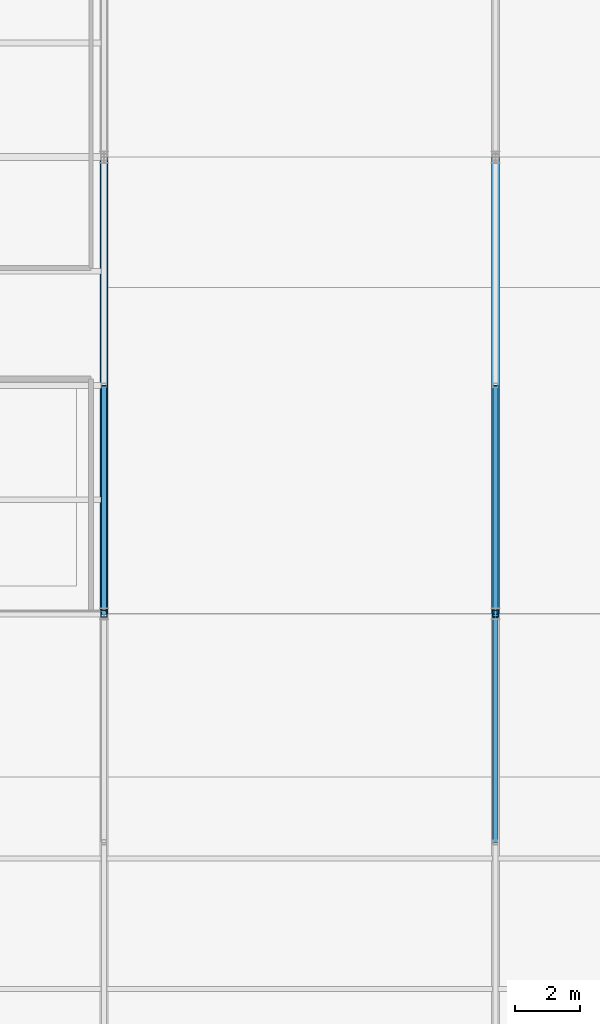
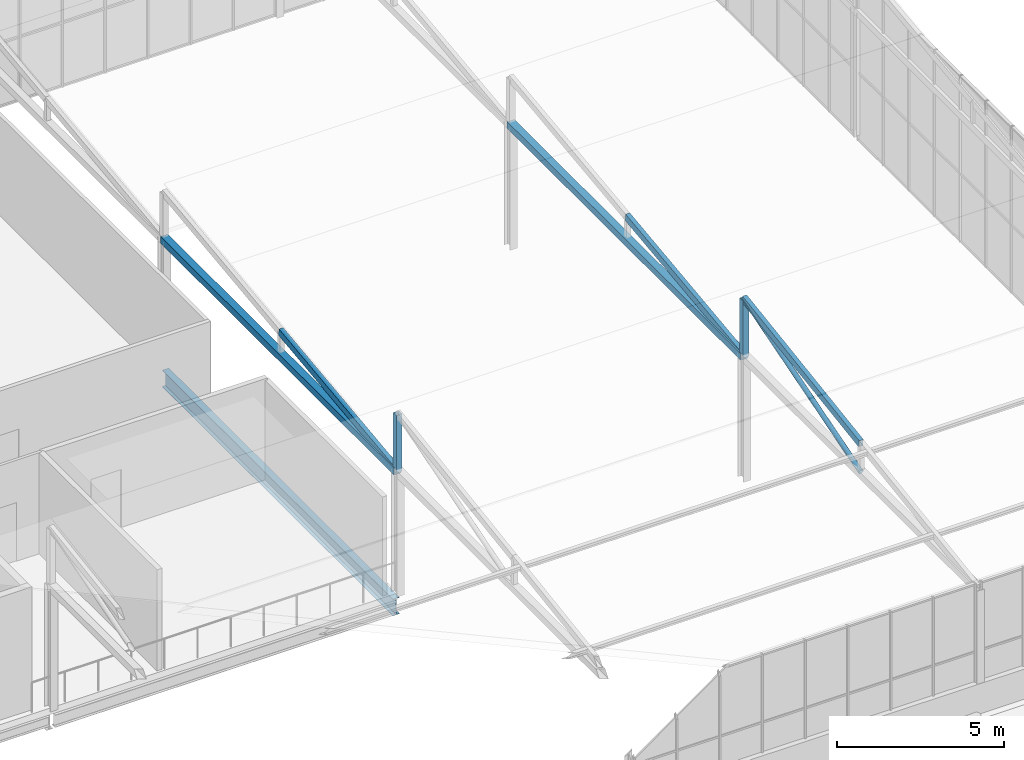
# One storey, part 66 of 104: 8 members, 1 beam.
"""IFC4 building model written with IfcOpenShell, lengths in metres."""

from ifc_helpers import new_model, si_unit, direction, frame, origin, origin_2d, place, context, subcontext, project, spatial, hollow_rectangle, hollow_circle, i_section, extrude, material, material_profile, profile_set, type_object, element, save


model = new_model("IFC4")

# Units and contexts
model_context = context("Model", 3, precision=1e-05, world=origin(), true_north=direction((0.0, 1.0)))
body_context = subcontext(model_context, "Body", "Model", "MODEL_VIEW")
ifc_project = project(units=[si_unit("LENGTHUNIT", "METRE"), si_unit("AREAUNIT", "SQUARE_METRE"), si_unit("VOLUMEUNIT", "CUBIC_METRE"), si_unit("PLANEANGLEUNIT", "RADIAN"), si_unit("MASSUNIT", "GRAM", prefix="KILO")], contexts=[model_context])

# Site, building, storey
site_placement = place(None, origin())
site = spatial("IfcSite", under=ifc_project, at=site_placement, CompositionType="ELEMENT")
building_placement = place(site_placement, origin())
building = spatial("IfcBuilding", under=site, at=building_placement, Name="Solvenia Promenade Tram Depot", CompositionType="ELEMENT")
storey_placement = place(building_placement, frame((0.0, 0.0, 9.0)))
storey = spatial("IfcBuildingStorey", under=building, at=storey_placement, Name="L02", CompositionType="ELEMENT", Elevation=9.0)

# Members
ifc_material_1 = material(Name="Structural steel ASTM A500 Gr. C", Category="steel")
ifc_material_profile_1 = material_profile(ifc_material_1, hollow_rectangle(XDim=0.14990234375, YDim=0.25, WallThickness=0.010009765625, at=origin_2d()), Name="HSS250x150x10", Category="steel")
ifc_profile_set_1 = profile_set([ifc_material_profile_1], Name="Structural steel ASTM A500 Gr. C")
member_type_1 = type_object("IfcMemberType", Name="Chord-HSS250x150x10", PredefinedType="CHORD", material=ifc_profile_set_1)
member_1_placement = place(storey_placement, frame((162.0, 38.0, 4.47998046875), z_axis=(0.0, 0.992706434156, 0.120556773289), x_axis=(-1.0, 0.0, 0.0)))
element("IfcMember", 1, at=member_1_placement, inside=storey, type_object=member_type_1, Name="Workshop Sawtooth Rafter 1-08S", PredefinedType="CHORD", context=body_context, shape_type="SweptSolid", body=[
    extrude(hollow_rectangle(XDim=0.14990234375, YDim=0.25, WallThickness=0.010009765625, at=origin_2d()), origin(), (0.0, 0.0, 1.0), 7.051513671875),
])
member_2_placement = place(storey_placement, frame((174.0, 31.0, 5.530029296875), z_axis=(0.0, 0.988935340875, 0.148347199397), x_axis=(-1.0, 0.0, 0.0)))
element("IfcMember", 2, at=member_2_placement, inside=storey, type_object=member_type_1, Name="Crane Hall Clerestory Rafter 09N", PredefinedType="CHORD", context=body_context, shape_type="SweptSolid", body=[
    extrude(hollow_rectangle(XDim=0.14990234375, YDim=0.25, WallThickness=0.010009765625, at=origin_2d()), origin(), (0.0, 0.0, 1.0), 7.078369140625),
])
member_3_placement = place(storey_placement, frame((174.0, 38.0, 4.47998046875), z_axis=(0.0, 0.992706434156, 0.120556773289), x_axis=(-1.0, 0.0, 0.0)))
element("IfcMember", 3, at=member_3_placement, inside=storey, type_object=member_type_1, Name="Workshop Sawtooth Rafter 1-09S", PredefinedType="CHORD", context=body_context, shape_type="SweptSolid", body=[
    extrude(hollow_rectangle(XDim=0.14990234375, YDim=0.25, WallThickness=0.010009765625, at=origin_2d()), origin(), (0.0, 0.0, 1.0), 7.051513671875),
])
ifc_material_profile_2 = material_profile(ifc_material_1, hollow_rectangle(XDim=0.25, YDim=0.25, WallThickness=0.010009765625, at=origin_2d()), Name="HSS250x250x10", Category="steel")
ifc_profile_set_2 = profile_set([ifc_material_profile_2], Name="Structural steel ASTM A500 Gr. C")
member_type_2 = type_object("IfcMemberType", Name="Chord-HSS250x250x10", PredefinedType="CHORD", material=ifc_profile_set_2)
for number, where, z_axis, x_axis, name in (
    (4, (162.0, 38.0, 4.47998046875), (0.0, 1.0, 0.0), (-1.0, 0.0, 0.0), "Workshop Sawtooth Bottom Tie 1-08"),
    (5, (174.0, 38.0, 4.47998046875), (0.0, 1.0, 0.0), (-1.0, 0.0, 0.0), "Workshop Sawtooth Bottom Tie 1-09"),
):
    element("IfcMember", number, at=place(storey_placement, frame(where, z_axis=z_axis, x_axis=x_axis)), inside=storey, type_object=member_type_2, Name=name, PredefinedType="CHORD", context=body_context, shape_type="SweptSolid", body=[
        extrude(hollow_rectangle(XDim=0.25, YDim=0.25, WallThickness=0.010009765625, at=origin_2d()), origin(), (0.0, 0.0, 1.0), 14.0),
    ])

# Beam
ifc_material_2 = material(Name="Structural steel ASTM A992 Gr. 50", Category="steel")
ifc_material_profile_3 = material_profile(ifc_material_2, i_section(OverallWidth=0.22900390625, OverallDepth=0.612060546875, WebThickness=0.011962890625, FlangeThickness=0.01953125, FilletRadius=0.014892578125, at=origin_2d()), Name="W610x125", Category="steel")
ifc_profile_set_3 = profile_set([ifc_material_profile_3], Name="Structural steel ASTM A992 Gr. 50")
beam_type = type_object("IfcBeamType", Name="Gird-W610x125", PredefinedType="BEAM", material=ifc_profile_set_3)
beam_placement = place(storey_placement, frame((162.0, 38.0849609375, -0.5458984375), z_axis=(0.0, 1.0, 0.0), x_axis=(-1.0, 0.0, 0.0)))
element("IfcBeam", 6, at=beam_placement, inside=storey, type_object=beam_type, Name="Transverse Girder BM-L02-0483", PredefinedType="BEAM", context=body_context, shape_type="SweptSolid", body=[
    extrude(i_section(OverallWidth=0.22900390625, OverallDepth=0.612060546875, WebThickness=0.011962890625, FlangeThickness=0.01953125, FilletRadius=0.014892578125, at=origin_2d()), origin(), (0.0, 0.0, 1.0), 13.830078125),
])

# Members
ifc_material_profile_4 = material_profile(ifc_material_1, hollow_rectangle(XDim=0.199951171875, YDim=0.199951171875, WallThickness=0.010009765625, at=origin_2d()), Name="HSS200x200x10", Category="steel")
ifc_profile_set_4 = profile_set([ifc_material_profile_4], Name="Structural steel ASTM A500 Gr. C")
member_type_3 = type_object("IfcMemberType", Name="Post-HSS200x200x10", PredefinedType="POST", material=ifc_profile_set_4)
for number, where, z_axis, x_axis, name in (
    (7, (162.0, 38.0, 4.47998046875), (0.0, 0.0, 1.0), (1.0, 0.0, 0.0), "Crane Hall Clerestory Post 08"),
    (8, (174.0, 38.0, 4.47998046875), (0.0, 0.0, 1.0), (1.0, 0.0, 0.0), "Crane Hall Clerestory Post 09"),
):
    element("IfcMember", number, at=place(storey_placement, frame(where, z_axis=z_axis, x_axis=x_axis)), inside=storey, type_object=member_type_3, Name=name, PredefinedType="POST", context=body_context, shape_type="SweptSolid", body=[
        extrude(hollow_rectangle(XDim=0.199951171875, YDim=0.199951171875, WallThickness=0.010009765625, at=origin_2d()), origin(), (0.0, 0.0, 1.0), 2.10009765625),
    ])
ifc_material_profile_5 = material_profile(ifc_material_1, hollow_circle(Radius=0.084228515625, WallThickness=0.008056640625, at=origin_2d()), Name="CHS168.3x8", Category="steel")
ifc_profile_set_5 = profile_set([ifc_material_profile_5], Name="Structural steel ASTM A500 Gr. C")
member_type_4 = type_object("IfcMemberType", Name="WebDiag-CHS168x8", PredefinedType="BRACE", material=ifc_profile_set_5)
member_4_placement = place(storey_placement, frame((174.0, 31.0, 4.47998046875), z_axis=(0.0, 0.957822607396, 0.287360144699), x_axis=(-1.0, 0.0, 0.0)))
element("IfcMember", 9, at=member_4_placement, inside=storey, type_object=member_type_4, Name="Crane Hall Truss Web Diagonal 09", PredefinedType="BRACE", context=body_context, shape_type="SweptSolid", body=[
    extrude(hollow_circle(Radius=0.084228515625, WallThickness=0.008056640625, at=origin_2d()), origin(), (0.0, 0.0, 1.0), 7.308349609375),
])

save(model, "model.ifc")
